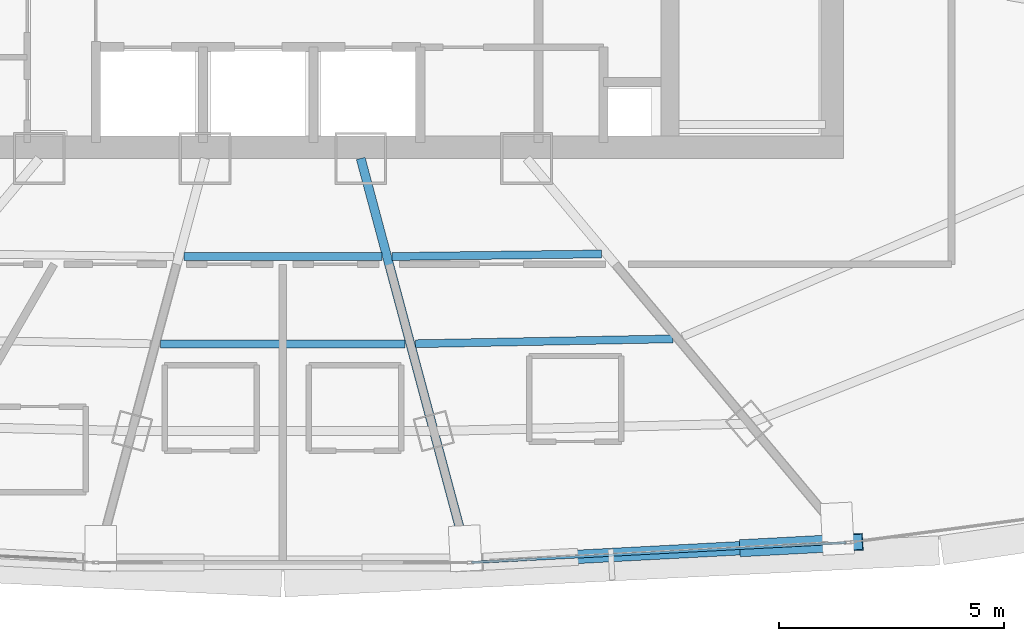
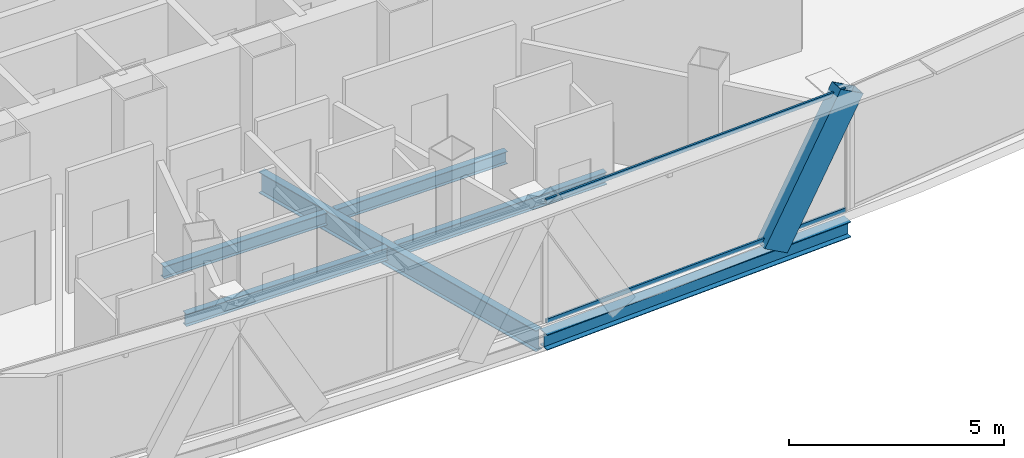
# One storey, part 12 of 39: 6 beams, 3 members, 1 element without a shape of its own.
"""IFC4 building model written with IfcOpenShell, lengths in metres."""

from ifc_helpers import new_model, si_unit, direction, frame, origin, origin_2d, place, context, subcontext, project, spatial, hollow_rectangle, i_section, extrude, source, transform, mapped, material, layer, layer_set, material_profile, profile_set, type_object, element, aggregate, save


model = new_model("IFC4")

# Units and contexts
model_context = context("Model", 3, precision=1e-05, world=origin(), true_north=direction((0.0, 1.0)))
body_context = subcontext(model_context, "Body", "Model", "MODEL_VIEW")
ifc_project = project(units=[si_unit("LENGTHUNIT", "METRE"), si_unit("AREAUNIT", "SQUARE_METRE"), si_unit("VOLUMEUNIT", "CUBIC_METRE"), si_unit("PLANEANGLEUNIT", "RADIAN"), si_unit("MASSUNIT", "GRAM", prefix="KILO"), si_unit("THERMODYNAMICTEMPERATUREUNIT", "KELVIN"), si_unit("POWERUNIT", "WATT")], contexts=[model_context])

# Site, building, storey
site_placement = place(None, origin())
site = spatial("IfcSite", under=ifc_project, at=site_placement, CompositionType="ELEMENT")
building_placement = place(site_placement, origin())
building = spatial("IfcBuilding", under=site, at=building_placement, Name="Yunzhuo Pagoda Commons", CompositionType="ELEMENT")
storey_placement = place(building_placement, frame((0.0, 0.0, 285.02001953125)))
storey = spatial("IfcBuildingStorey", under=building, at=storey_placement, Name="L71", CompositionType="ELEMENT", Elevation=285.02001953125)

# Beams
ifc_material_1 = material(Name="Structural steel Q355B", Category="steel")
ifc_material_profile_1 = material_profile(ifc_material_1, i_section(OverallWidth=0.300048828125, OverallDepth=0.43994140625, WebThickness=0.010986328125, FlangeThickness=0.01806640625, at=origin_2d()), Name="Structural steel Q355B")
ifc_profile_set_1 = profile_set([ifc_material_profile_1], Name="Structural steel Q355B")
beam_type_1 = type_object("IfcBeamType", Name="B-SP2 Beam HM 440x300x11x18", PredefinedType="BEAM", material=ifc_profile_set_1)
shared_shape_1 = source(origin(), body_context, "Body", "SweptSolid", [
    extrude(i_section(OverallWidth=0.300048828125, OverallDepth=0.43994140625, WebThickness=0.010986328125, FlangeThickness=0.01806640625, at=origin_2d()), origin(), (0.0, 0.0, 1.0), 8.447509765625),
])
beam_1_placement = place(storey_placement, frame((52.133056640625, 18.275390625, -0.47998046875), z_axis=(0.998606549518, 0.052772713206, 0.0), x_axis=(-0.052772713206, 0.998606549518, 0.0)))
element("IfcBeam", 1, at=beam_1_placement, inside=storey, type_object=beam_type_1, Name="L71 facade edge spandrel beam F1.3", PredefinedType="BEAM", context=body_context, shape_type="MappedRepresentation", body=[
    mapped(shared_shape_1, transform((0.0, 0.0, 0.0), scale=1.0)),
])
ifc_material_profile_2 = material_profile(ifc_material_1, i_section(OverallWidth=0.199951171875, OverallDepth=0.60009765625, WebThickness=0.010986328125, FlangeThickness=0.01708984375, at=origin_2d()), Name="Structural steel Q355B")
ifc_profile_set_2 = profile_set([ifc_material_profile_2], Name="Structural steel Q355B")
beam_type_2 = type_object("IfcBeamType", Name="B-RG3 Beam HN 600x200x11x17", PredefinedType="BEAM", material=ifc_profile_set_2)
shared_shape_2 = source(origin(), body_context, "Body", "SweptSolid", [
    extrude(i_section(OverallWidth=0.199951171875, OverallDepth=0.60009765625, WebThickness=0.010986328125, FlangeThickness=0.01708984375, at=origin_2d()), origin(), (0.0, 0.0, 1.0), 9.136474609375),
])
beam_2_placement = place(storey_placement, frame((52.093017578125, 18.4248046875, -0.56005859375), z_axis=(-0.258798416467, 0.965931353479, 0.0), x_axis=(-0.965931353479, -0.258798416467, 0.0)))
element("IfcBeam", 2, at=beam_2_placement, inside=storey, type_object=beam_type_2, Name="L71 radial floor girder F1C3", PredefinedType="BEAM", context=body_context, shape_type="MappedRepresentation", body=[
    mapped(shared_shape_2, transform((0.0, 0.0, 0.0), scale=1.0)),
])
ifc_material_profile_3 = material_profile(ifc_material_1, i_section(OverallWidth=0.175048828125, OverallDepth=0.35009765625, WebThickness=0.007080078125, FlangeThickness=0.010986328125, at=origin_2d()), Name="Structural steel Q355B")
ifc_profile_set_3 = profile_set([ifc_material_profile_3], Name="Structural steel Q355B")
beam_type_3 = type_object("IfcBeamType", Name="B-JS2 Joist HN 350x175x7x11", PredefinedType="JOIST", material=ifc_profile_set_3)
shared_shape_3 = source(origin(), body_context, "Body", "SweptSolid", [
    extrude(i_section(OverallWidth=0.175048828125, OverallDepth=0.35009765625, WebThickness=0.007080078125, FlangeThickness=0.010986328125, at=origin_2d()), origin(), (0.0, 0.0, 1.0), 4.64892578125),
])
beam_3_placement = place(storey_placement, frame((50.42724609375, 25.07177734375, -0.43505859375), z_axis=(0.999924495467, 0.012288342626, 0.0), x_axis=(-0.012288342626, 0.999924495467, 0.0)))
element("IfcBeam", 3, at=beam_3_placement, inside=storey, type_object=beam_type_3, Name="L71 composite ring joist 1.3", PredefinedType="JOIST", context=body_context, shape_type="MappedRepresentation", body=[
    mapped(shared_shape_3, transform((0.0, 0.0, 0.0), scale=1.0)),
])
shared_shape_4 = source(origin(), body_context, "Body", "SweptSolid", [
    extrude(i_section(OverallWidth=0.175048828125, OverallDepth=0.35009765625, WebThickness=0.007080078125, FlangeThickness=0.010986328125, at=origin_2d()), origin(), (0.0, 0.0, 1.0), 5.711669921875),
])
beam_4_placement = place(storey_placement, frame((50.9462890625, 23.135009765625, -0.43505859375), z_axis=(0.999819084998, 0.019020969297, 0.0), x_axis=(-0.019020969297, 0.999819084998, 0.0)))
element("IfcBeam", 4, at=beam_4_placement, inside=storey, type_object=beam_type_3, Name="L71 composite ring joist 2.3", PredefinedType="JOIST", context=body_context, shape_type="MappedRepresentation", body=[
    mapped(shared_shape_4, transform((0.0, 0.0, 0.0), scale=1.0)),
])
shared_shape_5 = source(origin(), body_context, "Body", "SweptSolid", [
    extrude(i_section(OverallWidth=0.175048828125, OverallDepth=0.35009765625, WebThickness=0.007080078125, FlangeThickness=0.010986328125, at=origin_2d()), origin(), (0.0, 0.0, 1.0), 4.39453125),
])
beam_5_placement = place(storey_placement, frame((45.802734375, 25.070556640625, -0.43505859375), z_axis=(1.0, 0.0, 0.0), x_axis=(0.0, 1.0, 0.0)))
element("IfcBeam", 5, at=beam_5_placement, inside=storey, type_object=beam_type_3, Name="L71 composite ring joist 1.2", PredefinedType="JOIST", context=body_context, shape_type="MappedRepresentation", body=[
    mapped(shared_shape_5, transform((0.0, 0.0, 0.0), scale=1.0)),
])
shared_shape_6 = source(origin(), body_context, "Body", "SweptSolid", [
    extrude(i_section(OverallWidth=0.175048828125, OverallDepth=0.35009765625, WebThickness=0.007080078125, FlangeThickness=0.010986328125, at=origin_2d()), origin(), (0.0, 0.0, 1.0), 5.43310546875),
])
beam_6_placement = place(storey_placement, frame((45.283447265625, 23.133056640625, -0.43505859375), z_axis=(1.0, 0.0, 0.0), x_axis=(0.0, 1.0, 0.0)))
element("IfcBeam", 6, at=beam_6_placement, inside=storey, type_object=beam_type_3, Name="L71 composite ring joist 2.2", PredefinedType="JOIST", context=body_context, shape_type="MappedRepresentation", body=[
    mapped(shared_shape_6, transform((0.0, 0.0, 0.0), scale=1.0)),
])

# Member
ifc_material_profile_4 = material_profile(ifc_material_1, hollow_rectangle(XDim=0.3798828125, YDim=0.719970703125, WallThickness=0.02001953125, at=origin_2d()), Name="Structural steel Q355B")
ifc_profile_set_4 = profile_set([ifc_material_profile_4], Name="Structural steel Q355B")
member_type_1 = type_object("IfcMemberType", Name="M-DL3 Brace BOX 720x380x20", PredefinedType="BRACE", material=ifc_profile_set_4)
shared_shape_7 = source(origin(), body_context, "Body", "SweptSolid", [
    extrude(hollow_rectangle(XDim=0.3798828125, YDim=0.719970703125, WallThickness=0.02001953125, at=origin_2d()), origin(), (0.0, 0.0, 1.0), 4.286376953125),
])
member_1_placement = place(storey_placement, frame((58.459716796875, 18.609619140625, -0.260009765625), z_axis=(0.492046306334, 0.02602907304, 0.87017982037), x_axis=(-0.052825779707, 0.998603743733, 0.0)))
element("IfcMember", 7, at=member_1_placement, inside=storey, type_object=member_type_1, Name="L71 facade diamond brace F1.3R", PredefinedType="BRACE", context=body_context, shape_type="MappedRepresentation", body=[
    mapped(shared_shape_7, transform((0.0, 0.0, 0.0), scale=1.0)),
])

# Curtain wall, members
ifc_material_2 = material(Name="Anodized aluminium 6063-T6", Category="aluminium")
ifc_layer = layer(ifc_material_2, 0.139892578125)
ifc_layer_set = layer_set([ifc_layer], Name="Anodized aluminium 6063-T6")
curtain_wall_type = type_object("IfcCurtainWallType", Name="CW-HI High-Zone Ribbon Curtain Wall", PredefinedType="NOTDEFINED", material=ifc_layer_set)
curtain_wall_placement = place(storey_placement, origin())
curtain_wall = element("IfcCurtainWall", 8, at=curtain_wall_placement, inside=storey, type_object=curtain_wall_type, Name="L71 curtain wall CW-L71-F1B4", PredefinedType="NOTDEFINED")
ifc_material_profile_5 = material_profile(ifc_material_2, hollow_rectangle(XDim=0.054931640625, YDim=0.1201171875, WallThickness=0.00341796875, at=origin_2d()), Name="Anodized aluminium 6063-T6")
ifc_profile_set_5 = profile_set([ifc_material_profile_5], Name="Anodized aluminium 6063-T6")
member_type_2 = type_object("IfcMemberType", Name="CW-HI-T Transom RHS 120x55x3.5", PredefinedType="USERDEFINED", material=ifc_profile_set_5)
shared_shape_8 = source(origin(), body_context, "Body", "SweptSolid", [
    extrude(hollow_rectangle(XDim=0.054931640625, YDim=0.1201171875, WallThickness=0.00341796875, at=origin_2d()), origin(), (0.0, 0.0, 1.0), 8.327392578125),
])
member_2_placement = place(storey_placement, frame((52.193115234375, 18.2783203125, 0.027587890625), z_axis=(0.998605003422, 0.052801961515, 0.0), x_axis=(-0.052801961515, 0.998605003422, 0.0)))
member_2 = element("IfcMember", 9, at=member_2_placement, type_object=member_type_2, Name="CW transom 1.1", ObjectType="TRANSOM", PredefinedType="USERDEFINED", context=body_context, shape_type="MappedRepresentation", body=[
    mapped(shared_shape_8, transform((0.0, 0.0, 0.0), scale=1.0)),
])
member_3_placement = place(storey_placement, frame((52.193115234375, 18.2783203125, 3.4423828125), z_axis=(0.998605003422, 0.052801961515, 0.0), x_axis=(-0.052801961515, 0.998605003422, 0.0)))
member_3 = element("IfcMember", 10, at=member_3_placement, type_object=member_type_2, Name="CW transom 1.2", ObjectType="TRANSOM", PredefinedType="USERDEFINED", context=body_context, shape_type="MappedRepresentation", body=[
    mapped(shared_shape_8, transform((0.0, 0.0, 0.0), scale=1.0)),
])
aggregate(curtain_wall, [member_2, member_3])

save(model, "model.ifc")
